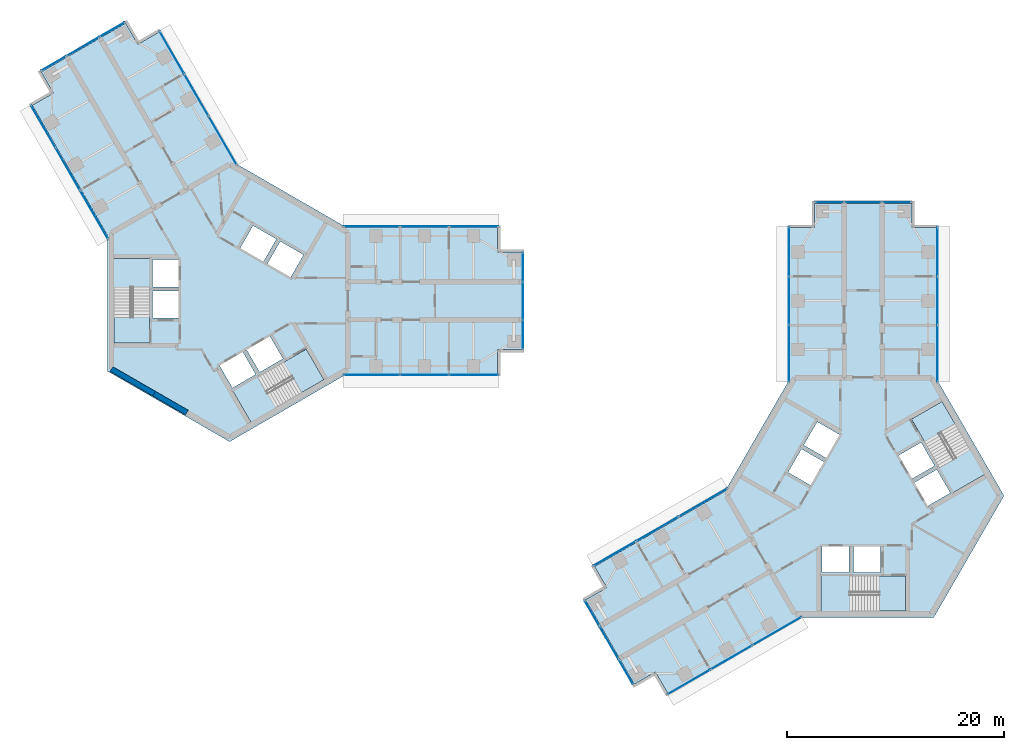
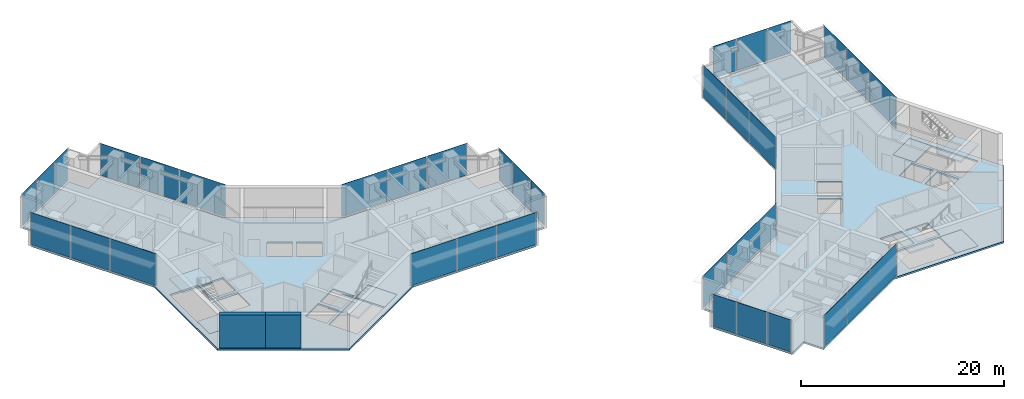
# One storey, part 10 of 17: 36 plates, 10 slabs, 2 walls, 16 elements without a shape of their own.
"""IFC4 building model written with IfcOpenShell, lengths in metres."""

from ifc_helpers import new_model, si_unit, direction, frame, frame_2d, origin, origin_2d, place, context, subcontext, project, spatial, polyline, rectangle, outline, extrude, material, layer, layer_set, type_object, element, aggregate, save


model = new_model("IFC4")

# Units and contexts
model_context = context("Model", 3, precision=1e-05, world=origin(), true_north=direction((0.0, 1.0)))
body_context = subcontext(model_context, "Body", "Model", "MODEL_VIEW")
ifc_project = project(units=[si_unit("LENGTHUNIT", "METRE"), si_unit("AREAUNIT", "SQUARE_METRE"), si_unit("VOLUMEUNIT", "CUBIC_METRE"), si_unit("PLANEANGLEUNIT", "RADIAN"), si_unit("MASSUNIT", "GRAM", prefix="KILO")], contexts=[model_context])

# Site, building, storey
site_placement = place(None, origin())
site = spatial("IfcSite", under=ifc_project, at=site_placement, CompositionType="ELEMENT")
building_placement = place(site_placement, origin())
building = spatial("IfcBuilding", under=site, at=building_placement, Name="Upepo Twin Towers", CompositionType="ELEMENT")
storey_placement = place(building_placement, frame((0.0, 0.0, 190.5)))
storey = spatial("IfcBuildingStorey", under=building, at=storey_placement, Name="L46", CompositionType="ELEMENT", Elevation=190.5)

# Curtain wall, plates
ifc_material_1 = material(Name="Aluminium and fritted glass", Category="aluminium")
curtain_wall_type = type_object("IfcCurtainWallType", Name="Tower curtain wall TW3, fritted glass", PredefinedType="NOTDEFINED", material=ifc_material_1)
curtain_wall_1_placement = place(storey_placement, origin())
curtain_wall_1 = element("IfcCurtainWall", 1, at=curtain_wall_1_placement, inside=storey, type_object=curtain_wall_type, Name="T1 L46 wing A flank L curtain wall", PredefinedType="NOTDEFINED")
ifc_material_2 = material(Name="Ceramic-fritted laminated glass", Category="glass")
ifc_layer_1 = layer(ifc_material_2, 0.031982421875)
ifc_layer_set_1 = layer_set([ifc_layer_1], Name="Fritted glass panel, 50 per cent dot frit, 32 mm double glazed")
plate_type_1 = type_object("IfcPlateType", Name="Fritted glass panel, 50 per cent dot frit, 32 mm double glazed", PredefinedType="CURTAIN_PANEL", material=ifc_layer_set_1)
plate_1_placement = place(storey_placement, frame((13.134765625, 6.85009765625, 0.14990234375), z_axis=(0.0, 0.0, 1.0), x_axis=(1.0, 0.0, 0.0)))
plate_1 = element("IfcPlate", 2, at=plate_1_placement, type_object=plate_type_1, Name="T1 L46 wing A flank L curtain wall panel 1", PredefinedType="CURTAIN_PANEL", context=body_context, shape_type="SweptSolid", body=[
    extrude(rectangle(XDim=5.165283203125, YDim=0.031982421875, at=origin_2d()), origin(), (0.0, 0.0, 1.0), 3.85009765625),
])
plate_2_placement = place(storey_placement, frame((18.0, 6.85009765625, 0.14990234375), z_axis=(0.0, 0.0, 1.0), x_axis=(1.0, 0.0, 0.0)))
plate_2 = element("IfcPlate", 3, at=plate_2_placement, type_object=plate_type_1, Name="T1 L46 wing A flank L curtain wall panel 2", PredefinedType="CURTAIN_PANEL", context=body_context, shape_type="SweptSolid", body=[
    extrude(rectangle(XDim=4.43505859375, YDim=0.031982421875, at=origin_2d()), origin(), (0.0, 0.0, 1.0), 3.85009765625),
])
plate_3_placement = place(storey_placement, frame((22.53369140625, 6.85009765625, 0.14990234375), z_axis=(0.0, 0.0, 1.0), x_axis=(1.0, 0.0, 0.0)))
plate_3 = element("IfcPlate", 4, at=plate_3_placement, type_object=plate_type_1, Name="T1 L46 wing A flank L curtain wall panel 3", PredefinedType="CURTAIN_PANEL", context=body_context, shape_type="SweptSolid", body=[
    extrude(rectangle(XDim=4.50244140625, YDim=0.031982421875, at=origin_2d()), origin(), (0.0, 0.0, 1.0), 3.85009765625),
])
aggregate(curtain_wall_1, [plate_1, plate_2, plate_3])

curtain_wall_2_placement = place(storey_placement, origin())
curtain_wall_2 = element("IfcCurtainWall", 5, at=curtain_wall_2_placement, inside=storey, type_object=curtain_wall_type, Name="T1 L46 wing A flank R curtain wall", PredefinedType="NOTDEFINED")
plate_4_placement = place(storey_placement, frame((22.53369140625, -6.85009765625, 0.14990234375), z_axis=(0.0, 0.0, 1.0), x_axis=(-1.0, 0.0, 0.0)))
plate_4 = element("IfcPlate", 6, at=plate_4_placement, type_object=plate_type_1, Name="T1 L46 wing A flank R curtain wall panel 1", PredefinedType="CURTAIN_PANEL", context=body_context, shape_type="SweptSolid", body=[
    extrude(rectangle(XDim=4.50244140625, YDim=0.031982421875, at=origin_2d()), origin(), (0.0, 0.0, 1.0), 3.85009765625),
])
plate_5_placement = place(storey_placement, frame((18.0, -6.85009765625, 0.14990234375), z_axis=(0.0, 0.0, 1.0), x_axis=(-1.0, 0.0, 0.0)))
plate_5 = element("IfcPlate", 7, at=plate_5_placement, type_object=plate_type_1, Name="T1 L46 wing A flank R curtain wall panel 2", PredefinedType="CURTAIN_PANEL", context=body_context, shape_type="SweptSolid", body=[
    extrude(rectangle(XDim=4.43505859375, YDim=0.031982421875, at=origin_2d()), origin(), (0.0, 0.0, 1.0), 3.85009765625),
])
plate_6_placement = place(storey_placement, frame((13.134765625, -6.85009765625, 0.14990234375), z_axis=(0.0, 0.0, 1.0), x_axis=(-1.0, 0.0, 0.0)))
plate_6 = element("IfcPlate", 8, at=plate_6_placement, type_object=plate_type_1, Name="T1 L46 wing A flank R curtain wall panel 3", PredefinedType="CURTAIN_PANEL", context=body_context, shape_type="SweptSolid", body=[
    extrude(rectangle(XDim=5.165283203125, YDim=0.031982421875, at=origin_2d()), origin(), (0.0, 0.0, 1.0), 3.85009765625),
])
aggregate(curtain_wall_2, [plate_4, plate_5, plate_6])

# Curtain wall, plate
curtain_wall_3_placement = place(storey_placement, origin())
curtain_wall_3 = element("IfcCurtainWall", 9, at=curtain_wall_3_placement, inside=storey, type_object=curtain_wall_type, Name="T1 L46 wing A nose curtain wall", PredefinedType="NOTDEFINED")
plate_7_placement = place(storey_placement, frame((27.10009765625, 0.0, 0.14990234375), z_axis=(0.0, 0.0, 1.0), x_axis=(0.0, 1.0, 0.0)))
plate_7 = element("IfcPlate", 10, at=plate_7_placement, type_object=plate_type_1, Name="T1 L46 wing A nose curtain wall panel 2", PredefinedType="CURTAIN_PANEL", context=body_context, shape_type="SweptSolid", body=[
    extrude(rectangle(XDim=3.43505859375, YDim=0.031982421875, at=origin_2d()), origin(), (0.0, 0.0, 1.0), 3.85009765625),
])

# Curtain wall, plates
curtain_wall_4_placement = place(storey_placement, origin())
curtain_wall_4 = element("IfcCurtainWall", 11, at=curtain_wall_4_placement, inside=storey, type_object=curtain_wall_type, Name="T1 L46 wing B flank L curtain wall", PredefinedType="NOTDEFINED")
plate_8_placement = place(storey_placement, frame((-12.499755859375, 7.9501953125, 0.14990234375), z_axis=(0.0, 0.0, 1.0), x_axis=(-0.500000026527, 0.866025388469, 0.0)))
plate_8 = element("IfcPlate", 12, at=plate_8_placement, type_object=plate_type_1, Name="T1 L46 wing B flank L curtain wall panel 1", PredefinedType="CURTAIN_PANEL", context=body_context, shape_type="SweptSolid", body=[
    extrude(rectangle(XDim=5.165283203125, YDim=0.031982421875, at=origin_2d()), origin(), (0.0, 0.0, 1.0), 3.85009765625),
])
plate_9_placement = place(storey_placement, frame((-14.932373046875, 12.16357421875, 0.14990234375), z_axis=(0.0, 0.0, 1.0), x_axis=(-0.500000026527, 0.866025388469, 0.0)))
plate_9 = element("IfcPlate", 13, at=plate_9_placement, type_object=plate_type_1, Name="T1 L46 wing B flank L curtain wall panel 2", PredefinedType="CURTAIN_PANEL", context=body_context, shape_type="SweptSolid", body=[
    extrude(rectangle(XDim=4.43505859375, YDim=0.031982421875, at=origin_2d()), origin(), (0.0, 0.0, 1.0), 3.85009765625),
])
plate_10_placement = place(storey_placement, frame((-17.19921875, 16.08984375, 0.14990234375), z_axis=(0.0, 0.0, 1.0), x_axis=(-0.500000026527, 0.866025388469, 0.0)))
plate_10 = element("IfcPlate", 14, at=plate_10_placement, type_object=plate_type_1, Name="T1 L46 wing B flank L curtain wall panel 3", PredefinedType="CURTAIN_PANEL", context=body_context, shape_type="SweptSolid", body=[
    extrude(rectangle(XDim=4.50244140625, YDim=0.031982421875, at=origin_2d()), origin(), (0.0, 0.0, 1.0), 3.85009765625),
])
aggregate(curtain_wall_4, [plate_8, plate_9, plate_10])

curtain_wall_5_placement = place(storey_placement, origin())
curtain_wall_5 = element("IfcCurtainWall", 15, at=curtain_wall_5_placement, inside=storey, type_object=curtain_wall_type, Name="T1 L46 wing B flank R curtain wall", PredefinedType="NOTDEFINED")
plate_11_placement = place(storey_placement, frame((-5.334716796875, 22.939697265625, 0.14990234375), z_axis=(0.0, 0.0, 1.0), x_axis=(0.500000026527, -0.866025388469, 0.0)))
plate_11 = element("IfcPlate", 16, at=plate_11_placement, type_object=plate_type_1, Name="T1 L46 wing B flank R curtain wall panel 1", PredefinedType="CURTAIN_PANEL", context=body_context, shape_type="SweptSolid", body=[
    extrude(rectangle(XDim=4.50244140625, YDim=0.031982421875, at=origin_2d()), origin(), (0.0, 0.0, 1.0), 3.85009765625),
])
plate_12_placement = place(storey_placement, frame((-3.067626953125, 19.013427734375, 0.14990234375), z_axis=(0.0, 0.0, 1.0), x_axis=(0.500000026527, -0.866025388469, 0.0)))
plate_12 = element("IfcPlate", 17, at=plate_12_placement, type_object=plate_type_1, Name="T1 L46 wing B flank R curtain wall panel 2", PredefinedType="CURTAIN_PANEL", context=body_context, shape_type="SweptSolid", body=[
    extrude(rectangle(XDim=4.43505859375, YDim=0.031982421875, at=origin_2d()), origin(), (0.0, 0.0, 1.0), 3.85009765625),
])
plate_13_placement = place(storey_placement, frame((-0.635009765625, 14.800048828125, 0.14990234375), z_axis=(0.0, 0.0, 1.0), x_axis=(0.500000026527, -0.866025388469, 0.0)))
plate_13 = element("IfcPlate", 18, at=plate_13_placement, type_object=plate_type_1, Name="T1 L46 wing B flank R curtain wall panel 3", PredefinedType="CURTAIN_PANEL", context=body_context, shape_type="SweptSolid", body=[
    extrude(rectangle(XDim=5.165283203125, YDim=0.031982421875, at=origin_2d()), origin(), (0.0, 0.0, 1.0), 3.85009765625),
])
aggregate(curtain_wall_5, [plate_11, plate_12, plate_13])

# Curtain wall, plate
curtain_wall_6_placement = place(storey_placement, origin())
curtain_wall_6 = element("IfcCurtainWall", 19, at=curtain_wall_6_placement, inside=storey, type_object=curtain_wall_type, Name="T1 L46 wing B nose curtain wall", PredefinedType="NOTDEFINED")
plate_14_placement = place(storey_placement, frame((-13.550048828125, 23.46923828125, 0.14990234375), z_axis=(0.0, 0.0, 1.0), x_axis=(-0.866025386174, -0.500000030502, 0.0)))
plate_14 = element("IfcPlate", 20, at=plate_14_placement, type_object=plate_type_1, Name="T1 L46 wing B nose curtain wall panel 2", PredefinedType="CURTAIN_PANEL", context=body_context, shape_type="SweptSolid", body=[
    extrude(rectangle(XDim=3.43505859375, YDim=0.031982421875, at=origin_2d()), origin(), (0.0, 0.0, 1.0), 3.85009765625),
])

# Curtain wall, plates
curtain_wall_7_placement = place(storey_placement, origin())
curtain_wall_7 = element("IfcCurtainWall", 21, at=curtain_wall_7_placement, inside=storey, type_object=curtain_wall_type, Name="T2 L46 wing A flank L curtain wall", PredefinedType="NOTDEFINED")
plate_15_placement = place(storey_placement, frame((51.64990234375, -4.865234375, 0.14990234375), z_axis=(0.0, 0.0, 1.0), x_axis=(0.0, 1.0, 0.0)))
plate_15 = element("IfcPlate", 22, at=plate_15_placement, type_object=plate_type_1, Name="T2 L46 wing A flank L curtain wall panel 1", PredefinedType="CURTAIN_PANEL", context=body_context, shape_type="SweptSolid", body=[
    extrude(rectangle(XDim=5.165283203125, YDim=0.031982421875, at=origin_2d()), origin(), (0.0, 0.0, 1.0), 3.85009765625),
])
plate_16_placement = place(storey_placement, frame((51.64990234375, 0.0, 0.14990234375), z_axis=(0.0, 0.0, 1.0), x_axis=(0.0, 1.0, 0.0)))
plate_16 = element("IfcPlate", 23, at=plate_16_placement, type_object=plate_type_1, Name="T2 L46 wing A flank L curtain wall panel 2", PredefinedType="CURTAIN_PANEL", context=body_context, shape_type="SweptSolid", body=[
    extrude(rectangle(XDim=4.43505859375, YDim=0.031982421875, at=origin_2d()), origin(), (0.0, 0.0, 1.0), 3.85009765625),
])
plate_17_placement = place(storey_placement, frame((51.64990234375, 4.53369140625, 0.14990234375), z_axis=(0.0, 0.0, 1.0), x_axis=(0.0, 1.0, 0.0)))
plate_17 = element("IfcPlate", 24, at=plate_17_placement, type_object=plate_type_1, Name="T2 L46 wing A flank L curtain wall panel 3", PredefinedType="CURTAIN_PANEL", context=body_context, shape_type="SweptSolid", body=[
    extrude(rectangle(XDim=4.50244140625, YDim=0.031982421875, at=origin_2d()), origin(), (0.0, 0.0, 1.0), 3.85009765625),
])
aggregate(curtain_wall_7, [plate_15, plate_16, plate_17])

curtain_wall_8_placement = place(storey_placement, origin())
curtain_wall_8 = element("IfcCurtainWall", 25, at=curtain_wall_8_placement, inside=storey, type_object=curtain_wall_type, Name="T2 L46 wing A flank R curtain wall", PredefinedType="NOTDEFINED")
plate_18_placement = place(storey_placement, frame((65.35009765625, 4.53369140625, 0.14990234375), z_axis=(0.0, 0.0, 1.0), x_axis=(0.0, -1.0, 0.0)))
plate_18 = element("IfcPlate", 26, at=plate_18_placement, type_object=plate_type_1, Name="T2 L46 wing A flank R curtain wall panel 1", PredefinedType="CURTAIN_PANEL", context=body_context, shape_type="SweptSolid", body=[
    extrude(rectangle(XDim=4.50244140625, YDim=0.031982421875, at=origin_2d()), origin(), (0.0, 0.0, 1.0), 3.85009765625),
])
plate_19_placement = place(storey_placement, frame((65.35009765625, 0.0, 0.14990234375), z_axis=(0.0, 0.0, 1.0), x_axis=(0.0, -1.0, 0.0)))
plate_19 = element("IfcPlate", 27, at=plate_19_placement, type_object=plate_type_1, Name="T2 L46 wing A flank R curtain wall panel 2", PredefinedType="CURTAIN_PANEL", context=body_context, shape_type="SweptSolid", body=[
    extrude(rectangle(XDim=4.43505859375, YDim=0.031982421875, at=origin_2d()), origin(), (0.0, 0.0, 1.0), 3.85009765625),
])
plate_20_placement = place(storey_placement, frame((65.35009765625, -4.865234375, 0.14990234375), z_axis=(0.0, 0.0, 1.0), x_axis=(0.0, -1.0, 0.0)))
plate_20 = element("IfcPlate", 28, at=plate_20_placement, type_object=plate_type_1, Name="T2 L46 wing A flank R curtain wall panel 3", PredefinedType="CURTAIN_PANEL", context=body_context, shape_type="SweptSolid", body=[
    extrude(rectangle(XDim=5.165283203125, YDim=0.031982421875, at=origin_2d()), origin(), (0.0, 0.0, 1.0), 3.85009765625),
])
aggregate(curtain_wall_8, [plate_18, plate_19, plate_20])

# Curtain wall, plate
curtain_wall_9_placement = place(storey_placement, origin())
curtain_wall_9 = element("IfcCurtainWall", 29, at=curtain_wall_9_placement, inside=storey, type_object=curtain_wall_type, Name="T2 L46 wing A nose curtain wall", PredefinedType="NOTDEFINED")
plate_21_placement = place(storey_placement, frame((58.5, 9.10009765625, 0.14990234375), z_axis=(0.0, 0.0, 1.0), x_axis=(-1.0, 0.0, 0.0)))
plate_21 = element("IfcPlate", 30, at=plate_21_placement, type_object=plate_type_1, Name="T2 L46 wing A nose curtain wall panel 2", PredefinedType="CURTAIN_PANEL", context=body_context, shape_type="SweptSolid", body=[
    extrude(rectangle(XDim=3.43505859375, YDim=0.031982421875, at=origin_2d()), origin(), (0.0, 0.0, 1.0), 3.85009765625),
])

# Curtain wall, plates
curtain_wall_10_placement = place(storey_placement, origin())
curtain_wall_10 = element("IfcCurtainWall", 31, at=curtain_wall_10_placement, inside=storey, type_object=curtain_wall_type, Name="T2 L46 wing B flank L curtain wall", PredefinedType="NOTDEFINED")
plate_22_placement = place(storey_placement, frame((50.5498046875, -30.499755859375, 0.14990234375), z_axis=(0.0, 0.0, 1.0), x_axis=(-0.866025388469, -0.500000026527, 0.0)))
plate_22 = element("IfcPlate", 32, at=plate_22_placement, type_object=plate_type_1, Name="T2 L46 wing B flank L curtain wall panel 1", PredefinedType="CURTAIN_PANEL", context=body_context, shape_type="SweptSolid", body=[
    extrude(rectangle(XDim=5.165283203125, YDim=0.031982421875, at=origin_2d()), origin(), (0.0, 0.0, 1.0), 3.85009765625),
])
plate_23_placement = place(storey_placement, frame((46.33642578125, -32.932373046875, 0.14990234375), z_axis=(0.0, 0.0, 1.0), x_axis=(-0.866025388469, -0.500000026527, 0.0)))
plate_23 = element("IfcPlate", 33, at=plate_23_placement, type_object=plate_type_1, Name="T2 L46 wing B flank L curtain wall panel 2", PredefinedType="CURTAIN_PANEL", context=body_context, shape_type="SweptSolid", body=[
    extrude(rectangle(XDim=4.43505859375, YDim=0.031982421875, at=origin_2d()), origin(), (0.0, 0.0, 1.0), 3.85009765625),
])
plate_24_placement = place(storey_placement, frame((42.41015625, -35.19921875, 0.14990234375), z_axis=(0.0, 0.0, 1.0), x_axis=(-0.866025388469, -0.500000026527, 0.0)))
plate_24 = element("IfcPlate", 34, at=plate_24_placement, type_object=plate_type_1, Name="T2 L46 wing B flank L curtain wall panel 3", PredefinedType="CURTAIN_PANEL", context=body_context, shape_type="SweptSolid", body=[
    extrude(rectangle(XDim=4.50244140625, YDim=0.031982421875, at=origin_2d()), origin(), (0.0, 0.0, 1.0), 3.85009765625),
])
aggregate(curtain_wall_10, [plate_22, plate_23, plate_24])

curtain_wall_11_placement = place(storey_placement, origin())
curtain_wall_11 = element("IfcCurtainWall", 35, at=curtain_wall_11_placement, inside=storey, type_object=curtain_wall_type, Name="T2 L46 wing B flank R curtain wall", PredefinedType="NOTDEFINED")
plate_25_placement = place(storey_placement, frame((35.560302734375, -23.334716796875, 0.14990234375), z_axis=(0.0, 0.0, 1.0), x_axis=(0.866025388469, 0.500000026527, 0.0)))
plate_25 = element("IfcPlate", 36, at=plate_25_placement, type_object=plate_type_1, Name="T2 L46 wing B flank R curtain wall panel 1", PredefinedType="CURTAIN_PANEL", context=body_context, shape_type="SweptSolid", body=[
    extrude(rectangle(XDim=4.50244140625, YDim=0.031982421875, at=origin_2d()), origin(), (0.0, 0.0, 1.0), 3.85009765625),
])
plate_26_placement = place(storey_placement, frame((39.486572265625, -21.067626953125, 0.14990234375), z_axis=(0.0, 0.0, 1.0), x_axis=(0.866025388469, 0.500000026527, 0.0)))
plate_26 = element("IfcPlate", 37, at=plate_26_placement, type_object=plate_type_1, Name="T2 L46 wing B flank R curtain wall panel 2", PredefinedType="CURTAIN_PANEL", context=body_context, shape_type="SweptSolid", body=[
    extrude(rectangle(XDim=4.43505859375, YDim=0.031982421875, at=origin_2d()), origin(), (0.0, 0.0, 1.0), 3.85009765625),
])
plate_27_placement = place(storey_placement, frame((43.699951171875, -18.635009765625, 0.14990234375), z_axis=(0.0, 0.0, 1.0), x_axis=(0.866025388469, 0.500000026527, 0.0)))
plate_27 = element("IfcPlate", 38, at=plate_27_placement, type_object=plate_type_1, Name="T2 L46 wing B flank R curtain wall panel 3", PredefinedType="CURTAIN_PANEL", context=body_context, shape_type="SweptSolid", body=[
    extrude(rectangle(XDim=5.165283203125, YDim=0.031982421875, at=origin_2d()), origin(), (0.0, 0.0, 1.0), 3.85009765625),
])
aggregate(curtain_wall_11, [plate_25, plate_26, plate_27])

# Curtain wall, plate
curtain_wall_12_placement = place(storey_placement, origin())
curtain_wall_12 = element("IfcCurtainWall", 39, at=curtain_wall_12_placement, inside=storey, type_object=curtain_wall_type, Name="T2 L46 wing B nose curtain wall", PredefinedType="NOTDEFINED")
plate_28_placement = place(storey_placement, frame((35.03076171875, -31.550048828125, 0.14990234375), z_axis=(0.0, 0.0, 1.0), x_axis=(0.500000030502, -0.866025386174, 0.0)))
plate_28 = element("IfcPlate", 40, at=plate_28_placement, type_object=plate_type_1, Name="T2 L46 wing B nose curtain wall panel 2", PredefinedType="CURTAIN_PANEL", context=body_context, shape_type="SweptSolid", body=[
    extrude(rectangle(XDim=3.43505859375, YDim=0.031982421875, at=origin_2d()), origin(), (0.0, 0.0, 1.0), 3.85009765625),
])

# Plate
ifc_material_3 = material(Name="Clear laminated glass in opening sash", Category="glass")
ifc_layer_2 = layer(ifc_material_3, 0.031982421875)
ifc_layer_set_2 = layer_set([ifc_layer_2], Name="Operable glass panel, 32 mm double glazed")
plate_type_2 = type_object("IfcPlateType", Name="Operable glass panel, 32 mm double glazed", PredefinedType="CURTAIN_PANEL", material=ifc_layer_set_2)
plate_29_placement = place(storey_placement, frame((27.10009765625, -3.108642578125, 0.14990234375), z_axis=(0.0, 0.0, 1.0), x_axis=(0.0, 1.0, 0.0)))
plate_29 = element("IfcPlate", 41, at=plate_29_placement, type_object=plate_type_2, Name="T1 L46 wing A nose curtain wall panel 1", PredefinedType="CURTAIN_PANEL", context=body_context, shape_type="SweptSolid", body=[
    extrude(rectangle(XDim=2.652587890625, YDim=0.031982421875, at=origin_2d()), origin(), (0.0, 0.0, 1.0), 3.85009765625),
])

plate_30_placement = place(storey_placement, frame((27.10009765625, 3.108642578125, 0.14990234375), z_axis=(0.0, 0.0, 1.0), x_axis=(0.0, 1.0, 0.0)))
plate_30 = element("IfcPlate", 42, at=plate_30_placement, type_object=plate_type_2, Name="T1 L46 wing A nose curtain wall panel 3", PredefinedType="CURTAIN_PANEL", context=body_context, shape_type="SweptSolid", body=[
    extrude(rectangle(XDim=2.652587890625, YDim=0.031982421875, at=origin_2d()), origin(), (0.0, 0.0, 1.0), 3.85009765625),
])

aggregate(curtain_wall_3, [plate_29, plate_7, plate_30])

plate_31_placement = place(storey_placement, frame((-10.857666015625, 25.023681640625, 0.14990234375), z_axis=(0.0, 0.0, 1.0), x_axis=(-0.866025386174, -0.500000030502, 0.0)))
plate_31 = element("IfcPlate", 43, at=plate_31_placement, type_object=plate_type_2, Name="T1 L46 wing B nose curtain wall panel 1", PredefinedType="CURTAIN_PANEL", context=body_context, shape_type="SweptSolid", body=[
    extrude(rectangle(XDim=2.652587890625, YDim=0.031982421875, at=origin_2d()), origin(), (0.0, 0.0, 1.0), 3.85009765625),
])

plate_32_placement = place(storey_placement, frame((-16.2421875, 21.914794921875, 0.14990234375), z_axis=(0.0, 0.0, 1.0), x_axis=(-0.866025386174, -0.500000030502, 0.0)))
plate_32 = element("IfcPlate", 44, at=plate_32_placement, type_object=plate_type_2, Name="T1 L46 wing B nose curtain wall panel 3", PredefinedType="CURTAIN_PANEL", context=body_context, shape_type="SweptSolid", body=[
    extrude(rectangle(XDim=2.652587890625, YDim=0.031982421875, at=origin_2d()), origin(), (0.0, 0.0, 1.0), 3.85009765625),
])

aggregate(curtain_wall_6, [plate_31, plate_14, plate_32])

plate_33_placement = place(storey_placement, frame((61.608642578125, 9.10009765625, 0.14990234375), z_axis=(0.0, 0.0, 1.0), x_axis=(-1.0, 0.0, 0.0)))
plate_33 = element("IfcPlate", 45, at=plate_33_placement, type_object=plate_type_2, Name="T2 L46 wing A nose curtain wall panel 1", PredefinedType="CURTAIN_PANEL", context=body_context, shape_type="SweptSolid", body=[
    extrude(rectangle(XDim=2.652587890625, YDim=0.031982421875, at=origin_2d()), origin(), (0.0, 0.0, 1.0), 3.85009765625),
])

plate_34_placement = place(storey_placement, frame((55.391357421875, 9.10009765625, 0.14990234375), z_axis=(0.0, 0.0, 1.0), x_axis=(-1.0, 0.0, 0.0)))
plate_34 = element("IfcPlate", 46, at=plate_34_placement, type_object=plate_type_2, Name="T2 L46 wing A nose curtain wall panel 3", PredefinedType="CURTAIN_PANEL", context=body_context, shape_type="SweptSolid", body=[
    extrude(rectangle(XDim=2.652587890625, YDim=0.031982421875, at=origin_2d()), origin(), (0.0, 0.0, 1.0), 3.85009765625),
])

aggregate(curtain_wall_9, [plate_33, plate_21, plate_34])

plate_35_placement = place(storey_placement, frame((33.476318359375, -28.857666015625, 0.14990234375), z_axis=(0.0, 0.0, 1.0), x_axis=(0.500000030502, -0.866025386174, 0.0)))
plate_35 = element("IfcPlate", 47, at=plate_35_placement, type_object=plate_type_2, Name="T2 L46 wing B nose curtain wall panel 1", PredefinedType="CURTAIN_PANEL", context=body_context, shape_type="SweptSolid", body=[
    extrude(rectangle(XDim=2.652587890625, YDim=0.031982421875, at=origin_2d()), origin(), (0.0, 0.0, 1.0), 3.85009765625),
])

plate_36_placement = place(storey_placement, frame((36.585205078125, -34.2421875, 0.14990234375), z_axis=(0.0, 0.0, 1.0), x_axis=(0.500000030502, -0.866025386174, 0.0)))
plate_36 = element("IfcPlate", 48, at=plate_36_placement, type_object=plate_type_2, Name="T2 L46 wing B nose curtain wall panel 3", PredefinedType="CURTAIN_PANEL", context=body_context, shape_type="SweptSolid", body=[
    extrude(rectangle(XDim=2.652587890625, YDim=0.031982421875, at=origin_2d()), origin(), (0.0, 0.0, 1.0), 3.85009765625),
])

aggregate(curtain_wall_12, [plate_35, plate_28, plate_36])

# Stair, slabs
ifc_material_4 = material(Name="Concrete C40/50", Category="concrete")
stair_type = type_object("IfcStairType", Name="Core stair, two flights", PredefinedType="HALF_TURN_STAIR", material=ifc_material_4)
stair_1_placement = place(storey_placement, origin())
stair_1 = element("IfcStair", 49, at=stair_1_placement, inside=storey, type_object=stair_type, Name="T1 stair S1 L46", PredefinedType="HALF_TURN_STAIR")
ifc_material_5 = material(Name="Concrete C40/50", Category="concrete")
ifc_layer_3 = layer(ifc_material_5, 0.199951171875)
ifc_layer_set_3 = layer_set([ifc_layer_3], Name="Concrete C40/50")
slab_type_1 = type_object("IfcSlabType", Name="Stair landing 200 RC", PredefinedType="LANDING", material=ifc_layer_set_3)
slab_1_placement = place(storey_placement, frame((0.0, 0.0, -0.199951171875)))
slab_1 = element("IfcSlab", 50, at=slab_1_placement, type_object=slab_type_1, Name="Stair S1 landing 1", PredefinedType="LANDING", context=body_context, shape_type="SweptSolid", body=[
    extrude(outline(polyline([(-7.39990234375, -1.419921875), (-10.658447265625, -1.419921875), (-10.658447265625, -3.89990234375), (-7.39990234375, -3.89990234375), (-7.39990234375, -1.419921875)])), origin(), (0.0, 0.0, 1.0), 0.199951171875),
])
slab_2_placement = place(storey_placement, frame((0.0, 0.0, 1.800048828125)))
slab_2 = element("IfcSlab", 51, at=slab_2_placement, type_object=slab_type_1, Name="Stair S1 landing 2", PredefinedType="LANDING", context=body_context, shape_type="SweptSolid", body=[
    extrude(outline(polyline([(-7.300048828125, 3.89990234375), (-10.75830078125, 3.89990234375), (-10.75830078125, 1.179931640625), (-7.300048828125, 1.179931640625), (-7.300048828125, 3.89990234375)])), origin(), (0.0, 0.0, 1.0), 0.199951171875),
])
aggregate(stair_1, [slab_1, slab_2])

stair_2_placement = place(storey_placement, origin())
stair_2 = element("IfcStair", 52, at=stair_2_placement, inside=storey, type_object=stair_type, Name="T1 stair S2 L46", PredefinedType="HALF_TURN_STAIR")
slab_3_placement = place(storey_placement, frame((0.0, 0.0, -0.199951171875)))
slab_3 = element("IfcSlab", 53, at=slab_3_placement, type_object=slab_type_1, Name="Stair S2 landing 1", PredefinedType="LANDING", context=body_context, shape_type="SweptSolid", body=[
    extrude(outline(polyline([(4.9296875, -5.698486328125), (6.558837890625, -8.520263671875), (8.70654296875, -7.2802734375), (7.077392578125, -4.45849609375), (4.9296875, -5.698486328125)])), origin(), (0.0, 0.0, 1.0), 0.199951171875),
])
slab_4_placement = place(storey_placement, frame((0.0, 0.0, 1.800048828125)))
slab_4 = element("IfcSlab", 54, at=slab_4_placement, type_object=slab_type_1, Name="Stair S2 landing 2", PredefinedType="LANDING", context=body_context, shape_type="SweptSolid", body=[
    extrude(outline(polyline([(0.2724609375, -8.27197265625), (2.001708984375, -11.26708984375), (4.357177734375, -9.906982421875), (2.628173828125, -6.911865234375), (0.2724609375, -8.27197265625)])), origin(), (0.0, 0.0, 1.0), 0.199951171875),
])
aggregate(stair_2, [slab_3, slab_4])

stair_3_placement = place(storey_placement, origin())
stair_3 = element("IfcStair", 55, at=stair_3_placement, inside=storey, type_object=stair_type, Name="T2 stair S1 L46", PredefinedType="HALF_TURN_STAIR")
slab_5_placement = place(storey_placement, frame((0.0, 0.0, -0.199951171875)))
slab_5 = element("IfcSlab", 56, at=slab_5_placement, type_object=slab_type_1, Name="Stair S1 landing 1", PredefinedType="LANDING", context=body_context, shape_type="SweptSolid", body=[
    extrude(outline(polyline([(59.919921875, -25.39990234375), (59.919921875, -28.658447265625), (62.39990234375, -28.658447265625), (62.39990234375, -25.39990234375), (59.919921875, -25.39990234375)])), origin(), (0.0, 0.0, 1.0), 0.199951171875),
])
slab_6_placement = place(storey_placement, frame((0.0, 0.0, 1.800048828125)))
slab_6 = element("IfcSlab", 57, at=slab_6_placement, type_object=slab_type_1, Name="Stair S1 landing 2", PredefinedType="LANDING", context=body_context, shape_type="SweptSolid", body=[
    extrude(outline(polyline([(54.60009765625, -25.300048828125), (54.60009765625, -28.75830078125), (57.320068359375, -28.75830078125), (57.320068359375, -25.300048828125), (54.60009765625, -25.300048828125)])), origin(), (0.0, 0.0, 1.0), 0.199951171875),
])
aggregate(stair_3, [slab_5, slab_6])

stair_4_placement = place(storey_placement, origin())
stair_4 = element("IfcStair", 58, at=stair_4_placement, inside=storey, type_object=stair_type, Name="T2 stair S2 L46", PredefinedType="HALF_TURN_STAIR")
slab_7_placement = place(storey_placement, frame((0.0, 0.0, -0.199951171875)))
slab_7 = element("IfcSlab", 59, at=slab_7_placement, type_object=slab_type_1, Name="Stair S2 landing 1", PredefinedType="LANDING", context=body_context, shape_type="SweptSolid", body=[
    extrude(outline(polyline([(64.198486328125, -13.0703125), (67.020263671875, -11.441162109375), (65.7802734375, -9.29345703125), (62.95849609375, -10.922607421875), (64.198486328125, -13.0703125)])), origin(), (0.0, 0.0, 1.0), 0.199951171875),
])
slab_8_placement = place(storey_placement, frame((0.0, 0.0, 1.800048828125)))
slab_8 = element("IfcSlab", 60, at=slab_8_placement, type_object=slab_type_1, Name="Stair S2 landing 2", PredefinedType="LANDING", context=body_context, shape_type="SweptSolid", body=[
    extrude(outline(polyline([(66.77197265625, -17.7275390625), (69.76708984375, -15.998291015625), (68.406982421875, -13.642822265625), (65.411865234375, -15.371826171875), (66.77197265625, -17.7275390625)])), origin(), (0.0, 0.0, 1.0), 0.199951171875),
])
aggregate(stair_4, [slab_7, slab_8])

# Slabs
ifc_material_6 = material(Name="Concrete C40/50", Category="concrete")
ifc_layer_4 = layer(ifc_material_6, 0.199951171875)
ifc_layer_set_4 = layer_set([ifc_layer_4], Name="Concrete C40/50")
slab_type_2 = type_object("IfcSlabType", Name="Tower floor slab 200 RC", PredefinedType="FLOOR", material=ifc_layer_set_4)
slab_9_placement = place(storey_placement, frame((0.0, 0.0, -0.199951171875)))
element("IfcSlab", 61, at=slab_9_placement, inside=storey, type_object=slab_type_2, Name="T1 L46 floor slab", PredefinedType="FLOOR", context=body_context, shape_type="SweptSolid", body=[
    extrude(outline(polyline([(10.825439453125, 6.75), (24.75, 6.75), (24.75, 4.5), (27.0, 4.5), (27.0, -4.5), (24.75, -4.5), (24.75, -6.75), (10.825439453125, -6.75), (0.0, -13.0), (-11.25830078125, -6.5), (-11.25830078125, 6.0), (-18.220703125, 18.05908203125), (-16.272216796875, 19.18408203125), (-17.397216796875, 21.132568359375), (-9.602783203125, 25.632568359375), (-8.477783203125, 23.68408203125), (-6.529296875, 24.80908203125), (0.43310546875, 12.75), (10.825439453125, 6.75)]), holes=[polyline([(5.640869140625, 2.17041015625), (6.8408203125, 4.248779296875), (4.67578125, 5.498779296875), (3.475830078125, 3.42041015625), (5.640869140625, 2.17041015625)]), polyline([(3.12939453125, 3.620361328125), (4.329345703125, 5.69873046875), (2.164306640625, 6.94873046875), (0.96435546875, 4.870361328125), (3.12939453125, 3.620361328125)]), polyline([(-4.699951171875, 3.800048828125), (-7.10009765625, 3.800048828125), (-7.10009765625, 1.300048828125), (-4.699951171875, 1.300048828125), (-4.699951171875, 3.800048828125)]), polyline([(-4.699951171875, 0.89990234375), (-7.10009765625, 0.89990234375), (-7.10009765625, -1.60009765625), (-4.699951171875, -1.60009765625), (-4.699951171875, 0.89990234375)]), polyline([(-7.39990234375, 3.89990234375), (-10.658447265625, 3.89990234375), (-10.658447265625, -3.89990234375), (-7.39990234375, -3.89990234375), (-7.39990234375, 3.89990234375)]), polyline([(-0.94091796875, -5.97021484375), (0.259033203125, -8.048828125), (2.424072265625, -6.798828125), (1.22412109375, -4.72021484375), (-0.94091796875, -5.97021484375)]), polyline([(1.570556640625, -4.520263671875), (2.7705078125, -6.598876953125), (4.935546875, -5.348876953125), (3.735595703125, -3.270263671875), (1.570556640625, -4.520263671875)]), polyline([(0.322509765625, -8.358642578125), (1.95166015625, -11.180419921875), (8.70654296875, -7.2802734375), (7.077392578125, -4.45849609375), (0.322509765625, -8.358642578125)])]), origin(), (0.0, 0.0, 1.0), 0.199951171875),
])
slab_10_placement = place(storey_placement, frame((0.0, 0.0, -0.199951171875)))
element("IfcSlab", 62, at=slab_10_placement, inside=storey, type_object=slab_type_2, Name="T2 L46 floor slab", PredefinedType="FLOOR", context=body_context, shape_type="SweptSolid", body=[
    extrude(outline(polyline([(51.75, -7.174560546875), (51.75, 6.75), (54.0, 6.75), (54.0, 9.0), (63.0, 9.0), (63.0, 6.75), (65.25, 6.75), (65.25, -7.174560546875), (71.5, -18.0), (65.0, -29.25830078125), (52.5, -29.25830078125), (40.44091796875, -36.220703125), (39.31591796875, -34.272216796875), (37.367431640625, -35.397216796875), (32.867431640625, -27.602783203125), (34.81591796875, -26.477783203125), (33.69091796875, -24.529296875), (45.75, -17.56689453125), (51.75, -7.174560546875)]), holes=[polyline([(56.32958984375, -12.359130859375), (54.251220703125, -11.1591796875), (53.001220703125, -13.32421875), (55.07958984375, -14.524169921875), (56.32958984375, -12.359130859375)]), polyline([(54.879638671875, -14.87060546875), (52.80126953125, -13.670654296875), (51.55126953125, -15.835693359375), (53.629638671875, -17.03564453125), (54.879638671875, -14.87060546875)]), polyline([(54.699951171875, -22.699951171875), (54.699951171875, -25.10009765625), (57.199951171875, -25.10009765625), (57.199951171875, -22.699951171875), (54.699951171875, -22.699951171875)]), polyline([(57.60009765625, -22.699951171875), (57.60009765625, -25.10009765625), (60.10009765625, -25.10009765625), (60.10009765625, -22.699951171875), (57.60009765625, -22.699951171875)]), polyline([(54.60009765625, -25.39990234375), (54.60009765625, -28.658447265625), (62.39990234375, -28.658447265625), (62.39990234375, -25.39990234375), (54.60009765625, -25.39990234375)]), polyline([(64.47021484375, -18.94091796875), (66.548828125, -17.740966796875), (65.298828125, -15.575927734375), (63.22021484375, -16.77587890625), (64.47021484375, -18.94091796875)]), polyline([(63.020263671875, -16.429443359375), (65.098876953125, -15.2294921875), (63.848876953125, -13.064453125), (61.770263671875, -14.264404296875), (63.020263671875, -16.429443359375)]), polyline([(66.858642578125, -17.677490234375), (69.680419921875, -16.04833984375), (65.7802734375, -9.29345703125), (62.95849609375, -10.922607421875), (66.858642578125, -17.677490234375)])]), origin(), (0.0, 0.0, 1.0), 0.199951171875),
])

# Walls
ifc_material_7 = material(Name="Concrete C60/75", Category="concrete")
ifc_layer_5 = layer(ifc_material_7, 0.5)
ifc_layer_set_5 = layer_set([ifc_layer_5], Name="Concrete C60/75")
wall_type = type_object("IfcWallType", Name="Core wall 500 RC", PredefinedType="SHEAR", material=ifc_layer_set_5)
wall_1_placement = place(storey_placement, frame((-10.908447265625, -6.2978515625, 0.0), z_axis=(0.0, 0.0, 1.0), x_axis=(0.866034513004, -0.499984222037, 0.0)))
element("IfcWall", 63, at=wall_1_placement, inside=storey, type_object=wall_type, Name="T1 core wall 240 R", PredefinedType="SHEAR", context=body_context, shape_type="SweptSolid", body=[
    extrude(rectangle(XDim=4.548095703125, YDim=0.5, at=frame_2d((2.27392578125, 0.0))), origin(), (0.0, 0.0, 1.0), 4.0),
])
wall_2_placement = place(storey_placement, frame((-6.9697265625, -8.57177734375, 0.0), z_axis=(0.0, 0.0, 1.0), x_axis=(0.866019471182, -0.500010275428, 0.0)))
element("IfcWall", 64, at=wall_2_placement, inside=storey, type_object=wall_type, Name="T1 core wall 240", PredefinedType="SHEAR", context=body_context, shape_type="SweptSolid", body=[
    extrude(rectangle(XDim=3.5, YDim=0.5, at=frame_2d((1.75, 0.0))), origin(), (0.0, 0.0, 1.0), 4.0),
])

save(model, "model.ifc")
